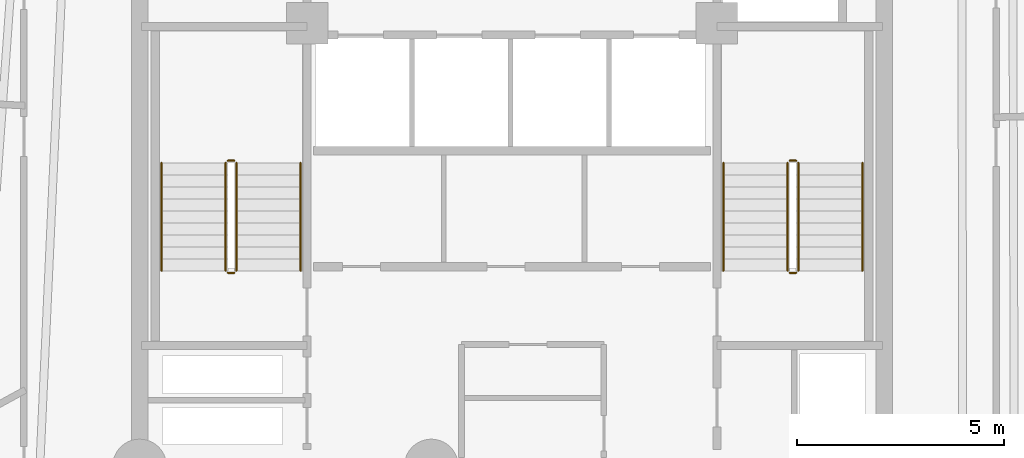
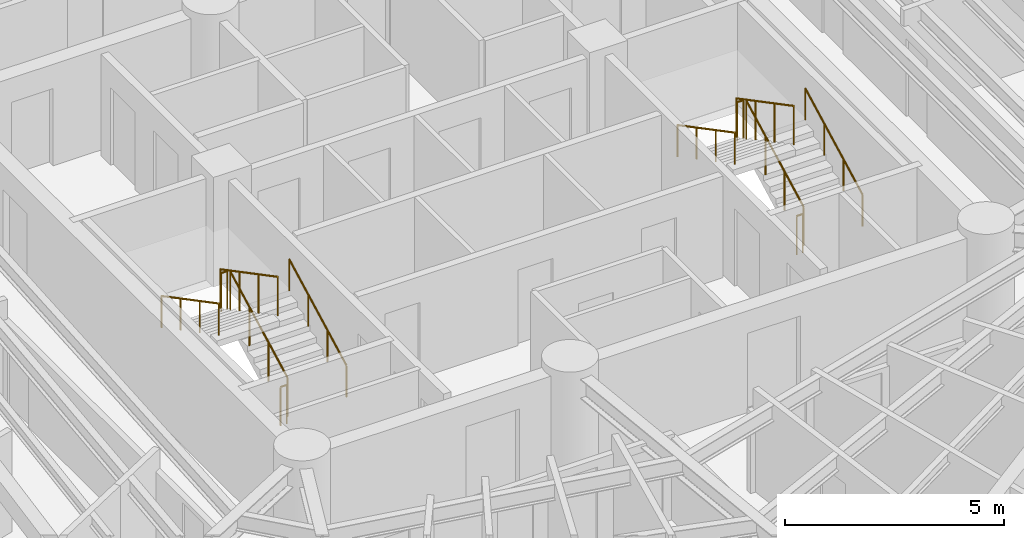
# One storey, part 8 of 8: 12 railings.
"""IFC4 building model written with IfcOpenShell, lengths in metres."""

from ifc_helpers import new_model, si_unit, direction, frame, origin, origin_2d, place, context, subcontext, project, spatial, circle, extrude, material, layer, layer_set, type_object, element, save


model = new_model("IFC4")

# Units and contexts
model_context = context("Model", 3, precision=1e-05, world=origin(), true_north=direction((0.0, 1.0)))
body_context = subcontext(model_context, "Body", "Model", "MODEL_VIEW")
ifc_project = project(units=[si_unit("LENGTHUNIT", "METRE"), si_unit("AREAUNIT", "SQUARE_METRE"), si_unit("VOLUMEUNIT", "CUBIC_METRE"), si_unit("PLANEANGLEUNIT", "RADIAN"), si_unit("MASSUNIT", "GRAM", prefix="KILO")], contexts=[model_context])

# Site, building, storey
site_placement = place(None, origin())
site = spatial("IfcSite", under=ifc_project, at=site_placement, CompositionType="ELEMENT")
building_placement = place(site_placement, origin())
building = spatial("IfcBuilding", under=site, at=building_placement, Name="Karkom Vertical University and Central Library", CompositionType="ELEMENT")
storey_placement = place(building_placement, frame((0.0, 0.0, 187.050048828125)))
storey = spatial("IfcBuildingStorey", under=building, at=storey_placement, Name="L54", CompositionType="ELEMENT", Elevation=187.050048828125)

# Railings
ifc_material_1 = material(Name="Painted galvanised steel balustrade", Category="steel")
ifc_layer_1 = layer(ifc_material_1, 0.06005859375)
ifc_layer_set_1 = layer_set([ifc_layer_1], Name="Painted galvanised steel balustrade")
railing_type_1 = type_object("IfcRailingType", Name="INT-RL-GUARD1100", PredefinedType="GUARDRAIL", material=ifc_layer_set_1)
railing_1_placement = place(storey_placement, frame((21.840087890625, 23.02001953125, 0.15234375)))
element("IfcRailing", 1, at=railing_1_placement, inside=storey, type_object=railing_type_1, Name="Level 54 ST-1 stair guard 1", PredefinedType="GUARDRAIL", context=body_context, shape_type="SweptSolid", body=[
    extrude(circle(Radius=0.02392578125, at=origin_2d()), frame((0.0, 0.0, 1.076171875), z_axis=(0.0, 0.885065446896, 0.46546659892), x_axis=(-1.0, 0.0, 0.0)), (0.0, 0.0, 1.0), 2.94873046875),
    extrude(circle(Radius=0.02099609375, at=origin_2d()), origin(), (0.0, 0.0, 1.0), 1.052001953125),
    extrude(circle(Radius=0.02099609375, at=origin_2d()), frame((0.0, 0.869873046875, 0.45751953125)), (0.0, 0.0, 1.0), 1.052001953125),
    extrude(circle(Radius=0.02099609375, at=origin_2d()), frame((0.0, 1.739990234375, 0.9150390625)), (0.0, 0.0, 1.0), 1.052001953125),
    extrude(circle(Radius=0.02099609375, at=origin_2d()), frame((0.0, 2.60986328125, 1.37255859375)), (0.0, 0.0, 1.0), 1.052001953125),
])
railing_2_placement = place(storey_placement, frame((21.7900390625, 25.679931640625, 1.52490234375)))
element("IfcRailing", 2, at=railing_2_placement, inside=storey, type_object=railing_type_1, Name="Level 54 ST-1 stair guard 2", PredefinedType="GUARDRAIL", context=body_context, shape_type="SweptSolid", body=[
    extrude(circle(Radius=0.02392578125, at=origin_2d()), frame((0.0, 0.0, 1.076171875), z_axis=(-1.0, 0.0, 0.0), x_axis=(0.0, -1.0, 0.0)), (0.0, 0.0, 1.0), 0.16015625),
    extrude(circle(Radius=0.02099609375, at=origin_2d()), origin(), (0.0, 0.0, 1.0), 1.052001953125),
    extrude(circle(Radius=0.02099609375, at=origin_2d()), frame((-0.16015625, 0.0, 0.0)), (0.0, 0.0, 1.0), 1.052001953125),
])
railing_3_placement = place(storey_placement, frame((21.580078125, 25.6298828125, 1.677490234375)))
element("IfcRailing", 3, at=railing_3_placement, inside=storey, type_object=railing_type_1, Name="Level 54 ST-1 stair guard 3", PredefinedType="GUARDRAIL", context=body_context, shape_type="SweptSolid", body=[
    extrude(circle(Radius=0.02392578125, at=origin_2d()), frame((0.0, 0.0, 1.076171875), z_axis=(0.0, -0.885065446896, 0.46546659892), x_axis=(1.0, 0.0, 0.0)), (0.0, 0.0, 1.0), 2.94873046875),
    extrude(circle(Radius=0.02099609375, at=origin_2d()), origin(), (0.0, 0.0, 1.0), 1.052001953125),
    extrude(circle(Radius=0.02099609375, at=origin_2d()), frame((0.0, -0.869873046875, 0.45751953125)), (0.0, 0.0, 1.0), 1.052001953125),
    extrude(circle(Radius=0.02099609375, at=origin_2d()), frame((0.0, -1.739990234375, 0.9150390625)), (0.0, 0.0, 1.0), 1.052001953125),
    extrude(circle(Radius=0.02099609375, at=origin_2d()), frame((0.0, -2.60986328125, 1.37255859375)), (0.0, 0.0, 1.0), 1.052001953125),
])
railing_4_placement = place(storey_placement, frame((21.7900390625, 22.969970703125, 0.0)))
element("IfcRailing", 4, at=railing_4_placement, inside=storey, type_object=railing_type_1, Name="Level 54 ST-1 stair guard 4", PredefinedType="GUARDRAIL", context=body_context, shape_type="SweptSolid", body=[
    extrude(circle(Radius=0.02392578125, at=origin_2d()), frame((0.0, 0.0, 1.076171875), z_axis=(-1.0, 0.0, 0.0), x_axis=(0.0, -1.0, 0.0)), (0.0, 0.0, 1.0), 0.16015625),
    extrude(circle(Radius=0.02099609375, at=origin_2d()), origin(), (0.0, 0.0, 1.0), 1.052001953125),
    extrude(circle(Radius=0.02099609375, at=origin_2d()), frame((-0.16015625, 0.0, 0.0)), (0.0, 0.0, 1.0), 1.052001953125),
])
railing_5_placement = place(storey_placement, frame((35.419921875, 23.02001953125, 0.15234375)))
element("IfcRailing", 5, at=railing_5_placement, inside=storey, type_object=railing_type_1, Name="Level 54 ST-2 stair guard 1", PredefinedType="GUARDRAIL", context=body_context, shape_type="SweptSolid", body=[
    extrude(circle(Radius=0.02392578125, at=origin_2d()), frame((0.0, 0.0, 1.076171875), z_axis=(0.0, 0.885065446896, 0.46546659892), x_axis=(-1.0, 0.0, 0.0)), (0.0, 0.0, 1.0), 2.94873046875),
    extrude(circle(Radius=0.02099609375, at=origin_2d()), origin(), (0.0, 0.0, 1.0), 1.052001953125),
    extrude(circle(Radius=0.02099609375, at=origin_2d()), frame((0.0, 0.869873046875, 0.45751953125)), (0.0, 0.0, 1.0), 1.052001953125),
    extrude(circle(Radius=0.02099609375, at=origin_2d()), frame((0.0, 1.739990234375, 0.9150390625)), (0.0, 0.0, 1.0), 1.052001953125),
    extrude(circle(Radius=0.02099609375, at=origin_2d()), frame((0.0, 2.60986328125, 1.37255859375)), (0.0, 0.0, 1.0), 1.052001953125),
])
railing_6_placement = place(storey_placement, frame((35.3701171875, 25.679931640625, 1.52490234375)))
element("IfcRailing", 6, at=railing_6_placement, inside=storey, type_object=railing_type_1, Name="Level 54 ST-2 stair guard 2", PredefinedType="GUARDRAIL", context=body_context, shape_type="SweptSolid", body=[
    extrude(circle(Radius=0.02392578125, at=origin_2d()), frame((0.0, 0.0, 1.076171875), z_axis=(-1.0, 0.0, 0.0), x_axis=(0.0, -1.0, 0.0)), (0.0, 0.0, 1.0), 0.16015625),
    extrude(circle(Radius=0.02099609375, at=origin_2d()), origin(), (0.0, 0.0, 1.0), 1.052001953125),
    extrude(circle(Radius=0.02099609375, at=origin_2d()), frame((-0.16015625, 0.0, 0.0)), (0.0, 0.0, 1.0), 1.052001953125),
])
railing_7_placement = place(storey_placement, frame((35.159912109375, 25.6298828125, 1.677490234375)))
element("IfcRailing", 7, at=railing_7_placement, inside=storey, type_object=railing_type_1, Name="Level 54 ST-2 stair guard 3", PredefinedType="GUARDRAIL", context=body_context, shape_type="SweptSolid", body=[
    extrude(circle(Radius=0.02392578125, at=origin_2d()), frame((0.0, 0.0, 1.076171875), z_axis=(0.0, -0.885065446896, 0.46546659892), x_axis=(1.0, 0.0, 0.0)), (0.0, 0.0, 1.0), 2.94873046875),
    extrude(circle(Radius=0.02099609375, at=origin_2d()), origin(), (0.0, 0.0, 1.0), 1.052001953125),
    extrude(circle(Radius=0.02099609375, at=origin_2d()), frame((0.0, -0.869873046875, 0.45751953125)), (0.0, 0.0, 1.0), 1.052001953125),
    extrude(circle(Radius=0.02099609375, at=origin_2d()), frame((0.0, -1.739990234375, 0.9150390625)), (0.0, 0.0, 1.0), 1.052001953125),
    extrude(circle(Radius=0.02099609375, at=origin_2d()), frame((0.0, -2.60986328125, 1.37255859375)), (0.0, 0.0, 1.0), 1.052001953125),
])
railing_8_placement = place(storey_placement, frame((35.3701171875, 22.969970703125, 0.0)))
element("IfcRailing", 8, at=railing_8_placement, inside=storey, type_object=railing_type_1, Name="Level 54 ST-2 stair guard 4", PredefinedType="GUARDRAIL", context=body_context, shape_type="SweptSolid", body=[
    extrude(circle(Radius=0.02392578125, at=origin_2d()), frame((0.0, 0.0, 1.076171875), z_axis=(-1.0, 0.0, 0.0), x_axis=(0.0, -1.0, 0.0)), (0.0, 0.0, 1.0), 0.16015625),
    extrude(circle(Radius=0.02099609375, at=origin_2d()), origin(), (0.0, 0.0, 1.0), 1.052001953125),
    extrude(circle(Radius=0.02099609375, at=origin_2d()), frame((-0.16015625, 0.0, 0.0)), (0.0, 0.0, 1.0), 1.052001953125),
])
ifc_material_2 = material(Name="Brushed stainless-steel tubular handrail", Category="steel")
ifc_layer_2 = layer(ifc_material_2, 0.048095703125)
ifc_layer_set_2 = layer_set([ifc_layer_2], Name="Brushed stainless-steel tubular handrail")
railing_type_2 = type_object("IfcRailingType", Name="INT-RL-HAND920", PredefinedType="HANDRAIL", material=ifc_layer_set_2)
railing_9_placement = place(storey_placement, frame((23.389892578125, 23.02001953125, 0.15234375)))
element("IfcRailing", 9, at=railing_9_placement, inside=storey, type_object=railing_type_2, Name="Level 54 ST-1 stair handrail 1", PredefinedType="HANDRAIL", context=body_context, shape_type="SweptSolid", body=[
    extrude(circle(Radius=0.02392578125, at=origin_2d()), frame((0.0, 0.0, 0.8759765625), z_axis=(0.0, 0.885065446896, 0.46546659892), x_axis=(-1.0, 0.0, 0.0)), (0.0, 0.0, 1.0), 2.94873046875),
    extrude(circle(Radius=0.02099609375, at=origin_2d()), origin(), (0.0, 0.0, 1.0), 0.851806640625),
    extrude(circle(Radius=0.02099609375, at=origin_2d()), frame((0.0, 0.869873046875, 0.45751953125)), (0.0, 0.0, 1.0), 0.851806640625),
    extrude(circle(Radius=0.02099609375, at=origin_2d()), frame((0.0, 1.739990234375, 0.9150390625)), (0.0, 0.0, 1.0), 0.851806640625),
    extrude(circle(Radius=0.02099609375, at=origin_2d()), frame((0.0, 2.60986328125, 1.37255859375)), (0.0, 0.0, 1.0), 0.851806640625),
])
railing_10_placement = place(storey_placement, frame((20.030029296875, 25.6298828125, 1.677490234375)))
element("IfcRailing", 10, at=railing_10_placement, inside=storey, type_object=railing_type_2, Name="Level 54 ST-1 stair handrail 2", PredefinedType="HANDRAIL", context=body_context, shape_type="SweptSolid", body=[
    extrude(circle(Radius=0.02392578125, at=origin_2d()), frame((0.0, 0.0, 0.8759765625), z_axis=(0.0, -0.885065446896, 0.46546659892), x_axis=(1.0, 0.0, 0.0)), (0.0, 0.0, 1.0), 2.94873046875),
    extrude(circle(Radius=0.02099609375, at=origin_2d()), origin(), (0.0, 0.0, 1.0), 0.851806640625),
    extrude(circle(Radius=0.02099609375, at=origin_2d()), frame((0.0, -0.869873046875, 0.45751953125)), (0.0, 0.0, 1.0), 0.851806640625),
    extrude(circle(Radius=0.02099609375, at=origin_2d()), frame((0.0, -1.739990234375, 0.9150390625)), (0.0, 0.0, 1.0), 0.851806640625),
    extrude(circle(Radius=0.02099609375, at=origin_2d()), frame((0.0, -2.60986328125, 1.37255859375)), (0.0, 0.0, 1.0), 0.851806640625),
])
railing_11_placement = place(storey_placement, frame((36.969970703125, 23.02001953125, 0.15234375)))
element("IfcRailing", 11, at=railing_11_placement, inside=storey, type_object=railing_type_2, Name="Level 54 ST-2 stair handrail 1", PredefinedType="HANDRAIL", context=body_context, shape_type="SweptSolid", body=[
    extrude(circle(Radius=0.02392578125, at=origin_2d()), frame((0.0, 0.0, 0.8759765625), z_axis=(0.0, 0.885065446896, 0.46546659892), x_axis=(-1.0, 0.0, 0.0)), (0.0, 0.0, 1.0), 2.94873046875),
    extrude(circle(Radius=0.02099609375, at=origin_2d()), origin(), (0.0, 0.0, 1.0), 0.851806640625),
    extrude(circle(Radius=0.02099609375, at=origin_2d()), frame((0.0, 0.869873046875, 0.45751953125)), (0.0, 0.0, 1.0), 0.851806640625),
    extrude(circle(Radius=0.02099609375, at=origin_2d()), frame((0.0, 1.739990234375, 0.9150390625)), (0.0, 0.0, 1.0), 0.851806640625),
    extrude(circle(Radius=0.02099609375, at=origin_2d()), frame((0.0, 2.60986328125, 1.37255859375)), (0.0, 0.0, 1.0), 0.851806640625),
])
railing_12_placement = place(storey_placement, frame((33.610107421875, 25.6298828125, 1.677490234375)))
element("IfcRailing", 12, at=railing_12_placement, inside=storey, type_object=railing_type_2, Name="Level 54 ST-2 stair handrail 2", PredefinedType="HANDRAIL", context=body_context, shape_type="SweptSolid", body=[
    extrude(circle(Radius=0.02392578125, at=origin_2d()), frame((0.0, 0.0, 0.8759765625), z_axis=(0.0, -0.885065446896, 0.46546659892), x_axis=(1.0, 0.0, 0.0)), (0.0, 0.0, 1.0), 2.94873046875),
    extrude(circle(Radius=0.02099609375, at=origin_2d()), origin(), (0.0, 0.0, 1.0), 0.851806640625),
    extrude(circle(Radius=0.02099609375, at=origin_2d()), frame((0.0, -0.869873046875, 0.45751953125)), (0.0, 0.0, 1.0), 0.851806640625),
    extrude(circle(Radius=0.02099609375, at=origin_2d()), frame((0.0, -1.739990234375, 0.9150390625)), (0.0, 0.0, 1.0), 0.851806640625),
    extrude(circle(Radius=0.02099609375, at=origin_2d()), frame((0.0, -2.60986328125, 1.37255859375)), (0.0, 0.0, 1.0), 0.851806640625),
])

save(model, "model.ifc")
